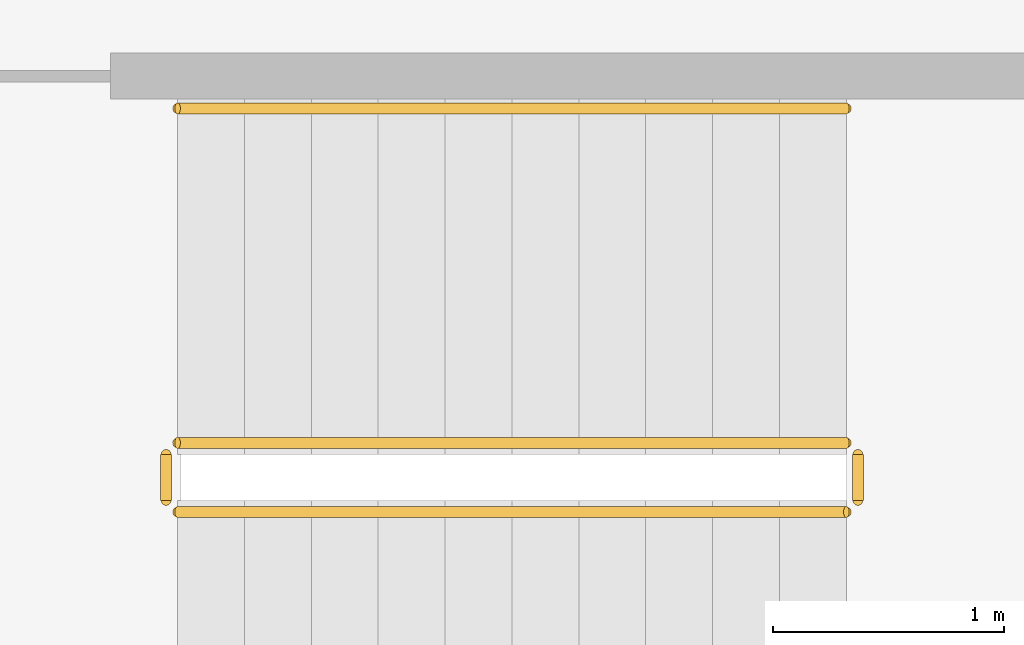
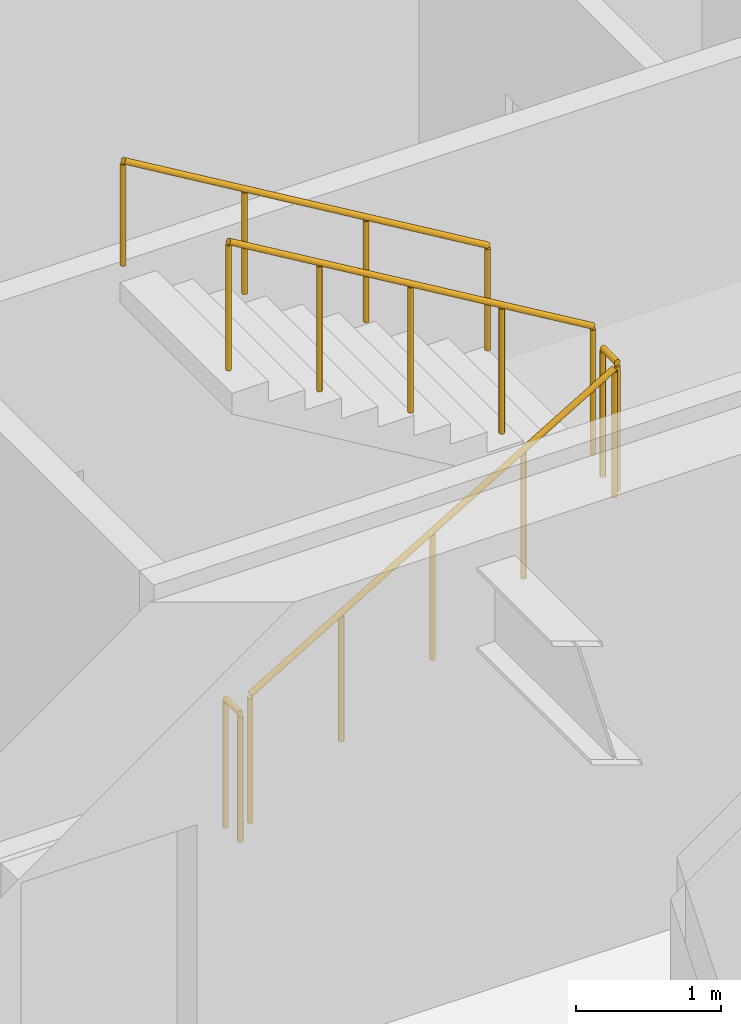
# One storey, part 22 of 23: 5 railings.
"""IFC4 building model written with IfcOpenShell, lengths in metres."""

from ifc_helpers import new_model, si_unit, direction, frame, origin, origin_2d, place, context, subcontext, project, spatial, circle, extrude, material, type_object, element, save


model = new_model("IFC4")

# Units and contexts
model_context = context("Model", 3, precision=1e-05, world=origin(), true_north=direction((0.0, 1.0)))
body_context = subcontext(model_context, "Body", "Model", "MODEL_VIEW")
ifc_project = project(units=[si_unit("LENGTHUNIT", "METRE"), si_unit("AREAUNIT", "SQUARE_METRE"), si_unit("VOLUMEUNIT", "CUBIC_METRE"), si_unit("PLANEANGLEUNIT", "RADIAN"), si_unit("MASSUNIT", "GRAM", prefix="KILO")], contexts=[model_context])

# Site, building, storey
site_placement = place(None, origin())
site = spatial("IfcSite", under=ifc_project, at=site_placement, CompositionType="ELEMENT")
building_placement = place(site_placement, origin())
building = spatial("IfcBuilding", under=site, at=building_placement, Name="Putna Gate Headquarters", CompositionType="ELEMENT")
storey_placement = place(building_placement, frame((0.0, 0.0, 232.800048828125)))
storey = spatial("IfcBuildingStorey", under=building, at=storey_placement, Name="L58", CompositionType="ELEMENT", Elevation=232.800048828125)

# Railings
ifc_material_1 = material(Name="Powder-coated steel stair guardrail", Category="steel")
railing_type_1 = type_object("IfcRailingType", Name="RAIL-STAIR-GUARD-1100", PredefinedType="GUARDRAIL", material=ifc_material_1)
railing_1_placement = place(storey_placement, frame((57.89990234375, 21.10009765625, 0.172607421875)))
element("IfcRailing", 1, at=railing_1_placement, inside=storey, type_object=railing_type_1, Name="L58 ST2 stair guard 1", PredefinedType="GUARDRAIL", context=body_context, shape_type="SweptSolid", body=[
    extrude(circle(Radius=0.02392578125, at=origin_2d()), frame((0.0, 0.0, 1.076171875), z_axis=(0.859160404282, 0.0, 0.51170636083), x_axis=(0.0, 1.0, 0.0)), (0.0, 0.0, 1.0), 3.37548828125),
    extrude(circle(Radius=0.02099609375, at=origin_2d()), origin(), (0.0, 0.0, 1.0), 1.052001953125),
    extrude(circle(Radius=0.02099609375, at=origin_2d()), frame((0.72509765625, 0.0, 0.431884765625)), (0.0, 0.0, 1.0), 1.052001953125),
    extrude(circle(Radius=0.02099609375, at=origin_2d()), frame((1.4501953125, 0.0, 0.86376953125)), (0.0, 0.0, 1.0), 1.052001953125),
    extrude(circle(Radius=0.02099609375, at=origin_2d()), frame((2.175048828125, 0.0, 1.29541015625)), (0.0, 0.0, 1.0), 1.052001953125),
    extrude(circle(Radius=0.02099609375, at=origin_2d()), frame((2.900146484375, 0.0, 1.727294921875)), (0.0, 0.0, 1.0), 1.052001953125),
])
railing_2_placement = place(storey_placement, frame((60.85009765625, 21.14990234375, 1.89990234375)))
element("IfcRailing", 2, at=railing_2_placement, inside=storey, type_object=railing_type_1, Name="L58 ST2 stair guard 2", PredefinedType="GUARDRAIL", context=body_context, shape_type="SweptSolid", body=[
    extrude(circle(Radius=0.02392578125, at=origin_2d()), frame((0.0, 0.0, 1.076171875), z_axis=(0.0, 1.0, 0.0), x_axis=(-1.0, 0.0, 0.0)), (0.0, 0.0, 1.0), 0.2001953125),
    extrude(circle(Radius=0.02099609375, at=origin_2d()), origin(), (0.0, 0.0, 1.0), 1.052001953125),
    extrude(circle(Radius=0.02099609375, at=origin_2d()), frame((0.0, 0.2001953125, 0.0)), (0.0, 0.0, 1.0), 1.052001953125),
])
railing_3_placement = place(storey_placement, frame((60.800048828125, 21.39990234375, 2.07275390625)))
element("IfcRailing", 3, at=railing_3_placement, inside=storey, type_object=railing_type_1, Name="L58 ST2 stair guard 3", PredefinedType="GUARDRAIL", context=body_context, shape_type="SweptSolid", body=[
    extrude(circle(Radius=0.02392578125, at=origin_2d()), frame((0.0, 0.0, 1.076171875), z_axis=(-0.859160404282, 0.0, 0.51170636083), x_axis=(0.0, -1.0, 0.0)), (0.0, 0.0, 1.0), 3.37548828125),
    extrude(circle(Radius=0.02099609375, at=origin_2d()), origin(), (0.0, 0.0, 1.0), 1.052001953125),
    extrude(circle(Radius=0.02099609375, at=origin_2d()), frame((-0.72509765625, 0.0, 0.431884765625)), (0.0, 0.0, 1.0), 1.052001953125),
    extrude(circle(Radius=0.02099609375, at=origin_2d()), frame((-1.4501953125, 0.0, 0.86376953125)), (0.0, 0.0, 1.0), 1.052001953125),
    extrude(circle(Radius=0.02099609375, at=origin_2d()), frame((-2.175048828125, 0.0, 1.29541015625)), (0.0, 0.0, 1.0), 1.052001953125),
    extrude(circle(Radius=0.02099609375, at=origin_2d()), frame((-2.900146484375, 0.0, 1.727294921875)), (0.0, 0.0, 1.0), 1.052001953125),
])
railing_4_placement = place(storey_placement, frame((57.85009765625, 21.14990234375, 0.0)))
element("IfcRailing", 4, at=railing_4_placement, inside=storey, type_object=railing_type_1, Name="L58 ST2 stair guard 4", PredefinedType="GUARDRAIL", context=body_context, shape_type="SweptSolid", body=[
    extrude(circle(Radius=0.02392578125, at=origin_2d()), frame((0.0, 0.0, 1.076171875), z_axis=(0.0, 1.0, 0.0), x_axis=(-1.0, 0.0, 0.0)), (0.0, 0.0, 1.0), 0.2001953125),
    extrude(circle(Radius=0.02099609375, at=origin_2d()), origin(), (0.0, 0.0, 1.0), 1.052001953125),
    extrude(circle(Radius=0.02099609375, at=origin_2d()), frame((0.0, 0.2001953125, 0.0)), (0.0, 0.0, 1.0), 1.052001953125),
])
ifc_material_2 = material(Name="Brushed stainless steel handrail", Category="steel")
railing_type_2 = type_object("IfcRailingType", Name="RAIL-STAIR-HAND-900", PredefinedType="HANDRAIL", material=ifc_material_2)
railing_5_placement = place(storey_placement, frame((60.800048828125, 22.85009765625, 2.07275390625)))
element("IfcRailing", 5, at=railing_5_placement, inside=storey, type_object=railing_type_2, Name="L58 ST2 stair handrail 2", PredefinedType="HANDRAIL", context=body_context, shape_type="SweptSolid", body=[
    extrude(circle(Radius=0.02392578125, at=origin_2d()), frame((0.0, 0.0, 0.8759765625), z_axis=(-0.859160404282, 0.0, 0.51170636083), x_axis=(0.0, -1.0, 0.0)), (0.0, 0.0, 1.0), 3.37548828125),
    extrude(circle(Radius=0.02099609375, at=origin_2d()), origin(), (0.0, 0.0, 1.0), 0.851806640625),
    extrude(circle(Radius=0.02099609375, at=origin_2d()), frame((-0.966796875, 0.0, 0.57568359375)), (0.0, 0.0, 1.0), 0.851806640625),
    extrude(circle(Radius=0.02099609375, at=origin_2d()), frame((-1.933349609375, 0.0, 1.151611328125)), (0.0, 0.0, 1.0), 0.851806640625),
    extrude(circle(Radius=0.02099609375, at=origin_2d()), frame((-2.900146484375, 0.0, 1.727294921875)), (0.0, 0.0, 1.0), 0.851806640625),
])

save(model, "model.ifc")
